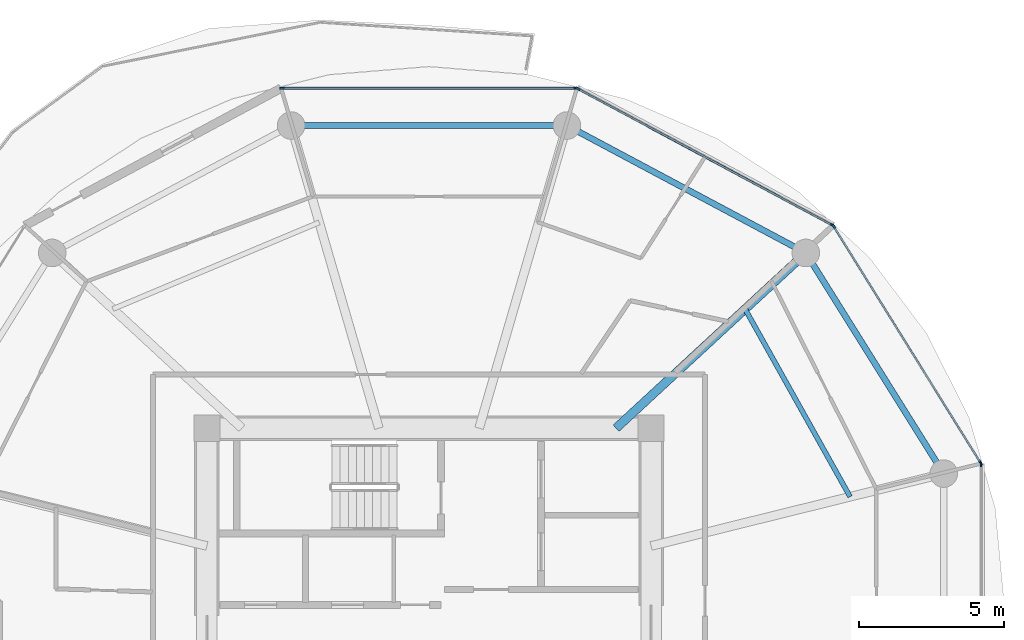
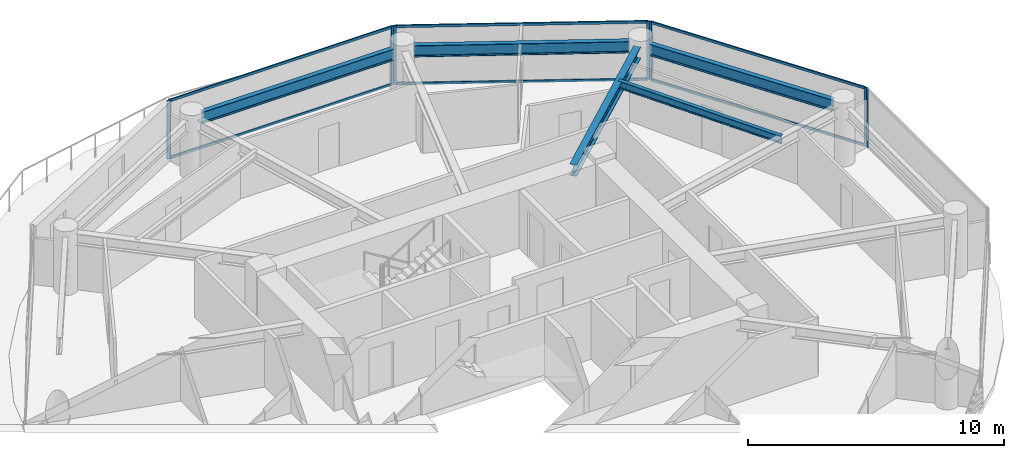
# One storey, part 13 of 26: 13 members, 5 beams, 4 elements without a shape of their own.
"""IFC4 building model written with IfcOpenShell, lengths in metres."""

from ifc_helpers import new_model, si_unit, direction, frame, origin, origin_2d, place, context, subcontext, project, spatial, rectangle, i_section, extrude, source, transform, mapped, material, layer, layer_set, material_profile, profile_set, type_object, type_shapes, element, aggregate, save


model = new_model("IFC4")

# Units and contexts
model_context = context("Model", 3, precision=1e-05, world=origin(), true_north=direction((0.0, 1.0)))
body_context = subcontext(model_context, "Body", "Model", "MODEL_VIEW")
ifc_project = project(units=[si_unit("LENGTHUNIT", "METRE"), si_unit("AREAUNIT", "SQUARE_METRE"), si_unit("VOLUMEUNIT", "CUBIC_METRE"), si_unit("PLANEANGLEUNIT", "RADIAN"), si_unit("MASSUNIT", "GRAM", prefix="KILO")], contexts=[model_context])

# Site, building, storey
site_placement = place(None, origin())
site = spatial("IfcSite", under=ifc_project, at=site_placement, CompositionType="ELEMENT")
building_placement = place(site_placement, origin())
building = spatial("IfcBuilding", under=site, at=building_placement, Name="Norrkilde Senior Care Towers", CompositionType="ELEMENT")
storey_placement = place(building_placement, frame((0.0, 0.0, 64.300048828125)))
storey = spatial("IfcBuildingStorey", under=building, at=storey_placement, Name="L19", CompositionType="ELEMENT", Elevation=64.300048828125)

# Beams
ifc_material_1 = material(Name="Steel S355", Category="steel")
ifc_material_profile_1 = material_profile(ifc_material_1, i_section(OverallWidth=0.2099609375, OverallDepth=0.550048828125, WebThickness=0.010986328125, FlangeThickness=0.01708984375, FilletRadius=0.02392578125, at=origin_2d()), Name="IPE 550")
ifc_profile_set_1 = profile_set([ifc_material_profile_1], Name="Steel S355")
beam_type_1 = type_object("IfcBeamType", Name="Perimeter Ring Spandrel Z1 IPE550", PredefinedType="SPANDREL", material=ifc_profile_set_1)
shared_shape_1 = source(origin(), body_context, "Body", "SweptSolid", [
    extrude(i_section(OverallWidth=0.2099609375, OverallDepth=0.550048828125, WebThickness=0.010986328125, FlangeThickness=0.01708984375, FilletRadius=0.02392578125, at=origin_2d()), origin(), (0.0, 0.0, 1.0), 8.090576171875),
])
beam_1_placement = place(storey_placement, frame((45.494140625, 4.755859375, 2.514892578125), z_axis=(-0.530004364821, 0.84799491347, 0.0), x_axis=(-0.84799491347, -0.530004364821, 0.0)))
element("IfcBeam", 1, at=beam_1_placement, inside=storey, type_object=beam_type_1, Name="L19 Drum E Perimeter Spandrel 01", PredefinedType="SPANDREL", context=body_context, shape_type="MappedRepresentation", body=[
    mapped(shared_shape_1, transform((0.0, 0.0, 0.0), x_axis=(1.0, 0.0, 0.0), y_axis=(0.0, 1.0, 0.0), z_axis=(0.0, 0.0, 1.0), scale=1.0)),
])
shared_shape_2 = source(origin(), body_context, "Body", "SweptSolid", [
    extrude(i_section(OverallWidth=0.2099609375, OverallDepth=0.550048828125, WebThickness=0.010986328125, FlangeThickness=0.01708984375, FilletRadius=0.02392578125, at=origin_2d()), origin(), (0.0, 0.0, 1.0), 8.452880859375),
])
beam_2_placement = place(storey_placement, frame((40.591552734375, 12.190185546875, 2.514892578125), z_axis=(-0.882368931134, 0.470558252898, 0.0), x_axis=(-0.470558252898, -0.882368931134, 0.0)))
element("IfcBeam", 2, at=beam_2_placement, inside=storey, type_object=beam_type_1, Name="L19 Drum E Perimeter Spandrel 02", PredefinedType="SPANDREL", context=body_context, shape_type="MappedRepresentation", body=[
    mapped(shared_shape_2, transform((0.0, 0.0, 0.0), x_axis=(1.0, 0.0, 0.0), y_axis=(0.0, 1.0, 0.0), z_axis=(0.0, 0.0, 1.0), scale=1.0)),
])
ifc_material_profile_2 = material_profile(ifc_material_1, i_section(OverallWidth=0.300048828125, OverallDepth=0.550048828125, WebThickness=0.014892578125, FlangeThickness=0.029052734375, FilletRadius=0.027099609375, at=origin_2d()), Name="HEB 550")
ifc_profile_set_2 = profile_set([ifc_material_profile_2], Name="Steel S355")
beam_type_2 = type_object("IfcBeamType", Name="Radial Floor Beam Z1 HEB550", PredefinedType="BEAM", material=ifc_profile_set_2)
shared_shape_3 = source(origin(), body_context, "Body", "SweptSolid", [
    extrude(i_section(OverallWidth=0.300048828125, OverallDepth=0.550048828125, WebThickness=0.014892578125, FlangeThickness=0.029052734375, FilletRadius=0.027099609375, at=origin_2d()), origin(), (0.0, 0.0, 1.0), 8.459716796875),
])
type_shapes(beam_type_2, [shared_shape_3])
beam_3_placement = place(storey_placement, frame((34.44140625, 5.949951171875, 2.514892578125), z_axis=(0.734573269108, 0.678529374686, 0.0), x_axis=(-0.678529374686, 0.734573269108, 0.0)))
element("IfcBeam", 3, at=beam_3_placement, inside=storey, type_object=beam_type_2, Name="L19 Drum E Radial Floor Beam 02", PredefinedType="BEAM", context=body_context, shape_type="MappedRepresentation", body=[
    mapped(shared_shape_3, transform((0.0, 0.0, 0.0), x_axis=(1.0, 0.0, 0.0), y_axis=(0.0, 1.0, 0.0), z_axis=(0.0, 0.0, 1.0), scale=1.0)),
])
shared_shape_4 = source(origin(), body_context, "Body", "SweptSolid", [
    extrude(i_section(OverallWidth=0.2099609375, OverallDepth=0.550048828125, WebThickness=0.010986328125, FlangeThickness=0.01708984375, FilletRadius=0.02392578125, at=origin_2d()), origin(), (0.0, 0.0, 1.0), 8.62841796875),
])
type_shapes(beam_type_1, [shared_shape_1, shared_shape_2, shared_shape_4])
beam_4_placement = place(storey_placement, frame((32.314208984375, 16.37255859375, 2.514892578125), z_axis=(-1.0, 0.0, 0.0), x_axis=(0.0, -1.0, 0.0)))
element("IfcBeam", 4, at=beam_4_placement, inside=storey, type_object=beam_type_1, Name="L19 Drum E Perimeter Spandrel 03", PredefinedType="SPANDREL", context=body_context, shape_type="MappedRepresentation", body=[
    mapped(shared_shape_4, transform((0.0, 0.0, 0.0), x_axis=(1.0, 0.0, 0.0), y_axis=(0.0, 1.0, 0.0), z_axis=(0.0, 0.0, 1.0), scale=1.0)),
])
ifc_material_profile_3 = material_profile(ifc_material_1, i_section(OverallWidth=0.169921875, OverallDepth=0.360107421875, WebThickness=0.008056640625, FlangeThickness=0.0126953125, FilletRadius=0.01806640625, at=origin_2d()), Name="IPE 360")
ifc_profile_set_3 = profile_set([ifc_material_profile_3], Name="Steel S355")
beam_type_3 = type_object("IfcBeamType", Name="Secondary Floor Joist IPE360", PredefinedType="JOIST", material=ifc_profile_set_3)
shared_shape_5 = source(origin(), body_context, "Body", "SweptSolid", [
    extrude(i_section(OverallWidth=0.169921875, OverallDepth=0.360107421875, WebThickness=0.008056640625, FlangeThickness=0.0126953125, FilletRadius=0.01806640625, at=origin_2d()), origin(), (0.0, 0.0, 1.0), 7.40771484375),
])
type_shapes(beam_type_3, [shared_shape_5])
beam_5_placement = place(storey_placement, frame((42.500732421875, 3.589111328125, 2.60986328125), z_axis=(-0.488167754092, 0.872749817453, 0.0), x_axis=(-0.872749817453, -0.488167754092, 0.0)))
element("IfcBeam", 5, at=beam_5_placement, inside=storey, type_object=beam_type_3, Name="L19 Drum E Secondary Floor Joist 1", PredefinedType="JOIST", context=body_context, shape_type="MappedRepresentation", body=[
    mapped(shared_shape_5, transform((0.0, 0.0, 0.0), x_axis=(1.0, 0.0, 0.0), y_axis=(0.0, 1.0, 0.0), z_axis=(0.0, 0.0, 1.0), scale=1.0)),
])

# Curtain wall, members
ifc_material_2 = material(Name="Triple Low-E Insulated Glazing", Category="glass")
ifc_layer = layer(ifc_material_2, 0.199951171875)
ifc_layer_set = layer_set([ifc_layer], Name="Triple Low-E Insulated Glazing")
curtain_wall_type = type_object("IfcCurtainWallType", Name="CW2 Zone 1 Memory Care Curtain Wall", PredefinedType="NOTDEFINED", material=ifc_layer_set)
curtain_wall_1_placement = place(storey_placement, origin())
curtain_wall_1 = element("IfcCurtainWall", 6, at=curtain_wall_1_placement, inside=storey, type_object=curtain_wall_type, Name="L19 Drum E Curtain Wall 00", PredefinedType="NOTDEFINED")
ifc_material_3 = material(Name="Anodised Aluminium", Category="aluminium")
ifc_material_profile_4 = material_profile(ifc_material_3, rectangle(XDim=0.06494140625, YDim=0.159912109375, at=origin_2d()), Name="ALU MULL 65x160")
ifc_profile_set_4 = profile_set([ifc_material_profile_4], Name="Anodised Aluminium")
member_type_1 = type_object("IfcMemberType", Name="Curtain Wall Mullion Z1-Z2 65x160", PredefinedType="MULLION", material=ifc_profile_set_4)
shared_shape_6 = source(origin(), body_context, "Body", "SweptSolid", [
    extrude(rectangle(XDim=0.06494140625, YDim=0.159912109375, at=origin_2d()), origin(), (0.0, 0.0, 1.0), 2.7900390625),
])
type_shapes(member_type_1, [shared_shape_6])
member_1_placement = place(storey_placement, frame((41.93310546875, 12.898193359375, 0.0), z_axis=(0.0, 0.0, 1.0), x_axis=(0.849305943117, 0.527900951871, 0.0)))
member_1 = element("IfcMember", 7, at=member_1_placement, type_object=member_type_1, Name="CW-2 mullion 1", PredefinedType="MULLION", context=body_context, shape_type="MappedRepresentation", body=[
    mapped(shared_shape_6, transform((0.0, 0.0, 0.0), x_axis=(1.0, 0.0, 0.0), y_axis=(0.0, 1.0, 0.0), z_axis=(0.0, 0.0, 1.0), scale=1.0)),
])
member_2_placement = place(storey_placement, frame((46.9921875, 4.7587890625, 0.0), z_axis=(0.0, 0.0, 1.0), x_axis=(0.849305943117, 0.527900951871, 0.0)))
member_2 = element("IfcMember", 8, at=member_2_placement, type_object=member_type_1, Name="CW-2 mullion 2", PredefinedType="MULLION", context=body_context, shape_type="MappedRepresentation", body=[
    mapped(shared_shape_6, transform((0.0, 0.0, 0.0), x_axis=(1.0, 0.0, 0.0), y_axis=(0.0, 1.0, 0.0), z_axis=(0.0, 0.0, 1.0), scale=1.0)),
])

curtain_wall_2_placement = place(storey_placement, origin())
curtain_wall_2 = element("IfcCurtainWall", 9, at=curtain_wall_2_placement, inside=storey, type_object=curtain_wall_type, Name="L19 Drum E Curtain Wall 01", PredefinedType="NOTDEFINED")
member_3_placement = place(storey_placement, frame((33.122314453125, 17.641845703125, 0.0), z_axis=(0.0, 0.0, 1.0), x_axis=(0.472607802456, 0.881272866403, 0.0)))
member_3 = element("IfcMember", 10, at=member_3_placement, type_object=member_type_1, Name="CW-2 mullion 1", PredefinedType="MULLION", context=body_context, shape_type="MappedRepresentation", body=[
    mapped(shared_shape_6, transform((0.0, 0.0, 0.0), x_axis=(1.0, 0.0, 0.0), y_axis=(0.0, 1.0, 0.0), z_axis=(0.0, 0.0, 1.0), scale=1.0)),
])
member_4_placement = place(storey_placement, frame((41.88720703125, 12.941162109375, 0.0), z_axis=(0.0, 0.0, 1.0), x_axis=(0.472607802456, 0.881272866403, 0.0)))
member_4 = element("IfcMember", 11, at=member_4_placement, type_object=member_type_1, Name="CW-2 mullion 2", PredefinedType="MULLION", context=body_context, shape_type="MappedRepresentation", body=[
    mapped(shared_shape_6, transform((0.0, 0.0, 0.0), x_axis=(1.0, 0.0, 0.0), y_axis=(0.0, 1.0, 0.0), z_axis=(0.0, 0.0, 1.0), scale=1.0)),
])

curtain_wall_3_placement = place(storey_placement, origin())
curtain_wall_3 = element("IfcCurtainWall", 12, at=curtain_wall_3_placement, inside=storey, type_object=curtain_wall_type, Name="L19 Drum E Curtain Wall 02", PredefinedType="NOTDEFINED")
member_5_placement = place(storey_placement, frame((22.93896484375, 17.6572265625, 0.0), z_axis=(0.0, 0.0, 1.0), x_axis=(0.0, 1.0, 0.0)))
member_5 = element("IfcMember", 13, at=member_5_placement, type_object=member_type_1, Name="CW-2 mullion 1", PredefinedType="MULLION", context=body_context, shape_type="MappedRepresentation", body=[
    mapped(shared_shape_6, transform((0.0, 0.0, 0.0), x_axis=(1.0, 0.0, 0.0), y_axis=(0.0, 1.0, 0.0), z_axis=(0.0, 0.0, 1.0), scale=1.0)),
])
member_6_placement = place(storey_placement, frame((33.06103515625, 17.6572265625, 0.0), z_axis=(0.0, 0.0, 1.0), x_axis=(0.0, 1.0, 0.0)))
member_6 = element("IfcMember", 14, at=member_6_placement, type_object=member_type_1, Name="CW-2 mullion 2", PredefinedType="MULLION", context=body_context, shape_type="MappedRepresentation", body=[
    mapped(shared_shape_6, transform((0.0, 0.0, 0.0), x_axis=(1.0, 0.0, 0.0), y_axis=(0.0, 1.0, 0.0), z_axis=(0.0, 0.0, 1.0), scale=1.0)),
])

# Curtain wall, member
curtain_wall_4_placement = place(storey_placement, origin())
curtain_wall_4 = element("IfcCurtainWall", 15, at=curtain_wall_4_placement, inside=storey, type_object=curtain_wall_type, Name="L19 Drum E Curtain Wall 11", PredefinedType="NOTDEFINED")
member_7_placement = place(storey_placement, frame((47.009521484375, 4.69873046875, 0.0), z_axis=(0.0, 0.0, 1.0), x_axis=(1.0, 0.0, 0.0)))
member_7 = element("IfcMember", 16, at=member_7_placement, type_object=member_type_1, Name="CW-2 mullion 1", PredefinedType="MULLION", context=body_context, shape_type="MappedRepresentation", body=[
    mapped(shared_shape_6, transform((0.0, 0.0, 0.0), x_axis=(1.0, 0.0, 0.0), y_axis=(0.0, 1.0, 0.0), z_axis=(0.0, 0.0, 1.0), scale=1.0)),
])
aggregate(curtain_wall_4, [member_7])

# Member
ifc_material_profile_5 = material_profile(ifc_material_3, rectangle(XDim=0.06005859375, YDim=0.1201171875, at=origin_2d()), Name="ALU TRAN 60x120")
ifc_profile_set_5 = profile_set([ifc_material_profile_5], Name="Anodised Aluminium")
member_type_2 = type_object("IfcMemberType", Name="Curtain Wall Transom Typical 60x120", PredefinedType="USERDEFINED", material=ifc_profile_set_5)
shared_shape_7 = source(origin(), body_context, "Body", "SweptSolid", [
    extrude(rectangle(XDim=0.06005859375, YDim=0.1201171875, at=origin_2d()), origin(), (0.0, 0.0, 1.0), 9.5185546875),
])
member_8_placement = place(storey_placement, frame((41.9501953125, 12.87060546875, 0.030029296875), z_axis=(0.527901620669, -0.849305527413, 0.0), x_axis=(0.849305527413, 0.527901620669, 0.0)))
member_8 = element("IfcMember", 17, at=member_8_placement, type_object=member_type_2, Name="CW-2 transom 1.1", ObjectType="TRANSOM", PredefinedType="USERDEFINED", context=body_context, shape_type="MappedRepresentation", body=[
    mapped(shared_shape_7, transform((0.0, 0.0, 0.0), x_axis=(1.0, 0.0, 0.0), y_axis=(0.0, 1.0, 0.0), z_axis=(0.0, 0.0, 1.0), scale=1.0)),
])

member_9_placement = place(storey_placement, frame((41.9501953125, 12.87060546875, 2.760009765625), z_axis=(0.527901620669, -0.849305527413, 0.0), x_axis=(0.849305527413, 0.527901620669, 0.0)))
member_9 = element("IfcMember", 18, at=member_9_placement, type_object=member_type_2, Name="CW-2 transom 1.2", ObjectType="TRANSOM", PredefinedType="USERDEFINED", context=body_context, shape_type="MappedRepresentation", body=[
    mapped(shared_shape_7, transform((0.0, 0.0, 0.0), x_axis=(1.0, 0.0, 0.0), y_axis=(0.0, 1.0, 0.0), z_axis=(0.0, 0.0, 1.0), scale=1.0)),
])

aggregate(curtain_wall_1, [member_1, member_2, member_8, member_9])

shared_shape_8 = source(origin(), body_context, "Body", "SweptSolid", [
    extrude(rectangle(XDim=0.06005859375, YDim=0.1201171875, at=origin_2d()), origin(), (0.0, 0.0, 1.0), 9.880859375),
])
member_10_placement = place(storey_placement, frame((33.15087890625, 17.62646484375, 0.030029296875), z_axis=(0.881267204043, -0.47261836092, 0.0), x_axis=(0.47261836092, 0.881267204043, 0.0)))
member_10 = element("IfcMember", 19, at=member_10_placement, type_object=member_type_2, Name="CW-2 transom 1.1", ObjectType="TRANSOM", PredefinedType="USERDEFINED", context=body_context, shape_type="MappedRepresentation", body=[
    mapped(shared_shape_8, transform((0.0, 0.0, 0.0), x_axis=(1.0, 0.0, 0.0), y_axis=(0.0, 1.0, 0.0), z_axis=(0.0, 0.0, 1.0), scale=1.0)),
])

member_11_placement = place(storey_placement, frame((33.15087890625, 17.62646484375, 2.760009765625), z_axis=(0.881267204043, -0.47261836092, 0.0), x_axis=(0.47261836092, 0.881267204043, 0.0)))
member_11 = element("IfcMember", 20, at=member_11_placement, type_object=member_type_2, Name="CW-2 transom 1.2", ObjectType="TRANSOM", PredefinedType="USERDEFINED", context=body_context, shape_type="MappedRepresentation", body=[
    mapped(shared_shape_8, transform((0.0, 0.0, 0.0), x_axis=(1.0, 0.0, 0.0), y_axis=(0.0, 1.0, 0.0), z_axis=(0.0, 0.0, 1.0), scale=1.0)),
])

aggregate(curtain_wall_2, [member_3, member_4, member_10, member_11])

shared_shape_9 = source(origin(), body_context, "Body", "SweptSolid", [
    extrude(rectangle(XDim=0.06005859375, YDim=0.1201171875, at=origin_2d()), origin(), (0.0, 0.0, 1.0), 10.05712890625),
])
type_shapes(member_type_2, [shared_shape_7, shared_shape_8, shared_shape_9])
member_12_placement = place(storey_placement, frame((22.971435546875, 17.6572265625, 0.030029296875), z_axis=(1.0, 0.0, 0.0), x_axis=(0.0, 1.0, 0.0)))
member_12 = element("IfcMember", 21, at=member_12_placement, type_object=member_type_2, Name="CW-2 transom 1.1", ObjectType="TRANSOM", PredefinedType="USERDEFINED", context=body_context, shape_type="MappedRepresentation", body=[
    mapped(shared_shape_9, transform((0.0, 0.0, 0.0), x_axis=(1.0, 0.0, 0.0), y_axis=(0.0, 1.0, 0.0), z_axis=(0.0, 0.0, 1.0), scale=1.0)),
])

member_13_placement = place(storey_placement, frame((22.971435546875, 17.6572265625, 2.760009765625), z_axis=(1.0, 0.0, 0.0), x_axis=(0.0, 1.0, 0.0)))
member_13 = element("IfcMember", 22, at=member_13_placement, type_object=member_type_2, Name="CW-2 transom 1.2", ObjectType="TRANSOM", PredefinedType="USERDEFINED", context=body_context, shape_type="MappedRepresentation", body=[
    mapped(shared_shape_9, transform((0.0, 0.0, 0.0), x_axis=(1.0, 0.0, 0.0), y_axis=(0.0, 1.0, 0.0), z_axis=(0.0, 0.0, 1.0), scale=1.0)),
])

aggregate(curtain_wall_3, [member_5, member_6, member_12, member_13])

save(model, "model.ifc")
